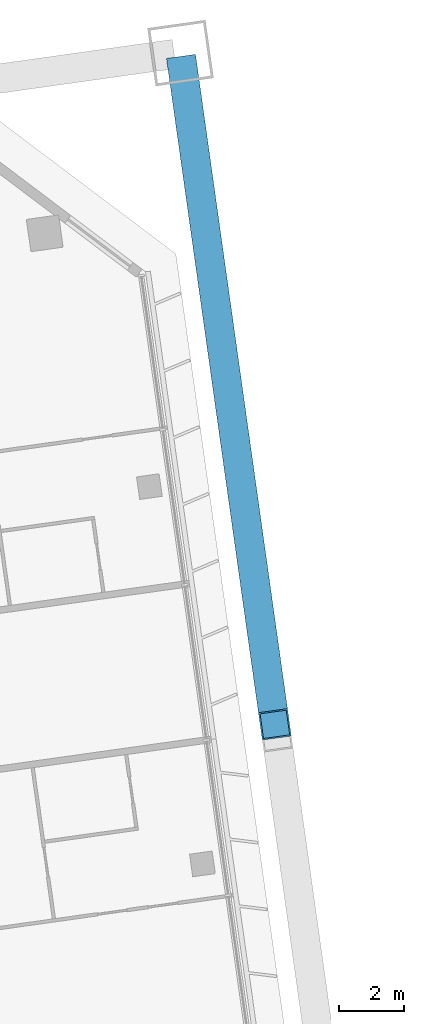
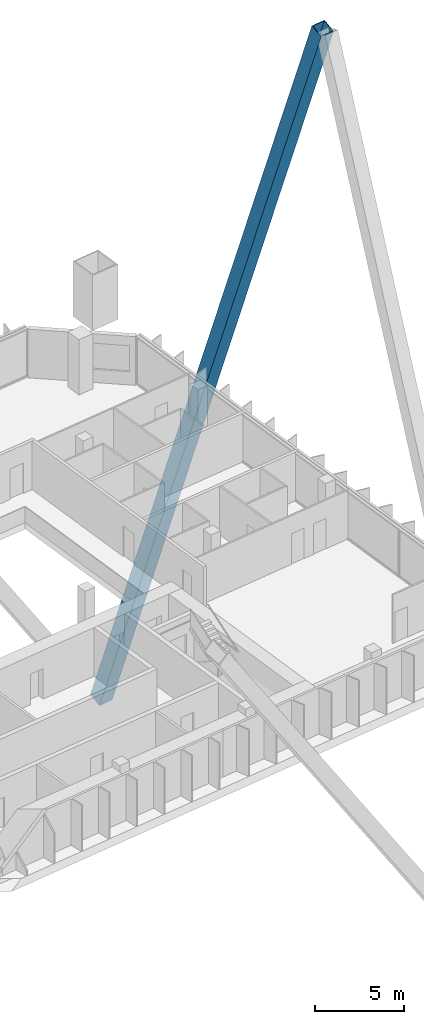
# One storey, part 34 of 49: 1 member.
"""IFC4 building model written with IfcOpenShell, lengths in metres."""

from ifc_helpers import new_model, si_unit, direction, frame, origin, origin_2d, place, context, subcontext, project, spatial, hollow_rectangle, extrude, material, material_profile, profile_set, type_object, element, save


model = new_model("IFC4")

# Units and contexts
model_context = context("Model", 3, precision=1e-05, world=origin(), true_north=direction((0.0, 1.0)))
body_context = subcontext(model_context, "Body", "Model", "MODEL_VIEW")
ifc_project = project(units=[si_unit("LENGTHUNIT", "METRE"), si_unit("AREAUNIT", "SQUARE_METRE"), si_unit("VOLUMEUNIT", "CUBIC_METRE"), si_unit("PLANEANGLEUNIT", "RADIAN"), si_unit("MASSUNIT", "GRAM", prefix="KILO")], contexts=[model_context])

# Site, building, storey
site_placement = place(None, origin())
site = spatial("IfcSite", under=ifc_project, at=site_placement, CompositionType="ELEMENT")
building_placement = place(site_placement, origin())
building = spatial("IfcBuilding", under=site, at=building_placement, Name="Mirante Cascada Hotel Towers", CompositionType="ELEMENT")
storey_placement = place(building_placement, frame((0.0, 0.0, 66.1)))
storey = spatial("IfcBuildingStorey", under=building, at=storey_placement, Name="L13", CompositionType="ELEMENT", Elevation=66.1)

# Member
ifc_material = material(Name="Steel ASTM A572 Gr 50", Category="steel")
ifc_material_profile = material_profile(ifc_material, hollow_rectangle(XDim=0.9, YDim=0.9, WallThickness=0.045, at=origin_2d()), Name="Box brace 900x900x45 ASTM A572 Gr 50")
ifc_profile_set = profile_set([ifc_material_profile], Name="Steel ASTM A572 Gr 50")
member_type = type_object("IfcMemberType", Name="Box brace 900x900x45 ASTM A572 Gr 50", PredefinedType="BRACE", material=ifc_profile_set)
member_placement = place(storey_placement, frame((100.4304, 28.5737, -25.815), z_axis=(0.0465147, -0.3309699, 0.9424942), x_axis=(0.9902681, 0.1391729, 0.0)))
element("IfcMember", 1, at=member_placement, inside=storey, type_object=member_type, Name="brace T2 L13 8", PredefinedType="BRACE", context=body_context, shape_type="SweptSolid", body=[
    extrude(hollow_rectangle(XDim=0.9, YDim=0.9, WallThickness=0.045, at=origin_2d()), origin(), (0.0, 0.0, 1.0), 60.7055),
])

save(model, "model.ifc")
